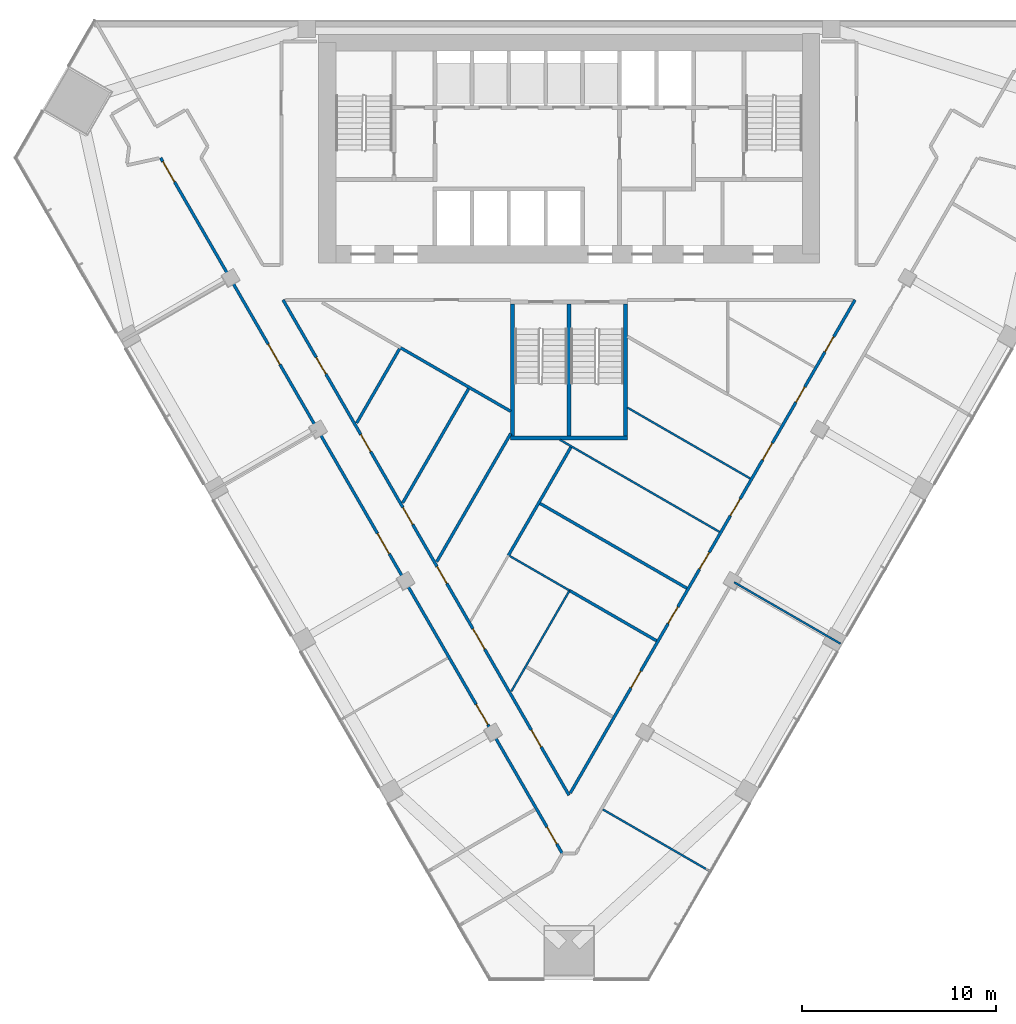
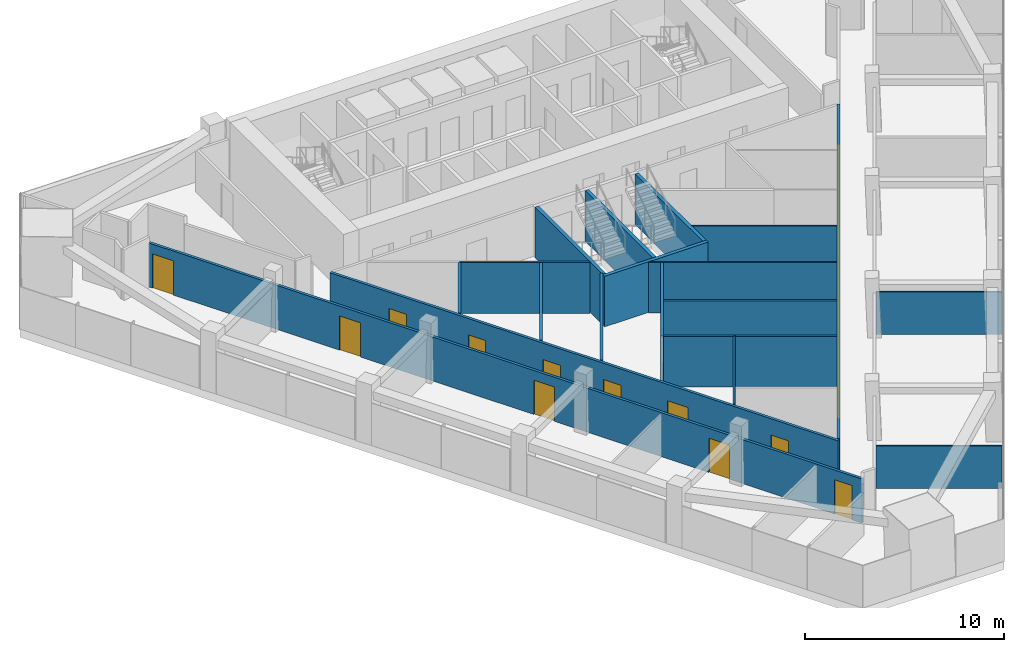
# One storey, part 9 of 14: 20 walls, 18 doors, 18 openings.
"""IFC4 building model written with IfcOpenShell, lengths in metres."""

import ifcopenshell
import ifcopenshell.guid

model = None  # the IFC model being written
_history = None  # IfcOwnerHistory: only IFC2X3 demands one
_inside = {}  # id of a spatial element -> (the spatial element, [elements in it])
_under = {}  # id of a project, library or spatial element -> (it, [spatial elements below it])
_declared = {}  # id of a project -> (the project, [libraries it declares])
_typed = {}  # id of a type object -> (the type object, [elements of that type])
_made_of = {}  # id of a material, layer set ... -> (it, [elements and type objects made of it])


def new_model(schema):
    """Start an empty IFC model of exactly this schema.

    Asked for "IFC4X3", IfcOpenShell would pick the latest addendum, in which some entities
    have other attributes; the version numbers below select the first issue.
    IFC2X3 requires an IfcOwnerHistory on every rooted entity: one is made here for all.
    """
    global model, _history
    if schema == "IFC4X3":
        model = ifcopenshell.file(schema_version=(4, 3, 0, 0))
    else:
        model = ifcopenshell.file(schema=schema)
    _inside.clear()
    _under.clear()
    _declared.clear()
    _typed.clear()
    _made_of.clear()
    _history = None
    if model.schema == "IFC2X3":
        org = make("IfcOrganization", Name="unknown")
        user = make(
            "IfcPersonAndOrganization",
            ThePerson=make("IfcPerson", FamilyName="unknown"),
            TheOrganization=org,
        )
        app = make(
            "IfcApplication",
            ApplicationDeveloper=org,
            Version="unknown",
            ApplicationFullName="unknown",
            ApplicationIdentifier="unknown",
        )
        _history = make(
            "IfcOwnerHistory",
            OwningUser=user,
            OwningApplication=app,
            ChangeAction="ADDED",
            CreationDate=0,
        )
    return model


def make(cls, **values):
    """One entity of the class cls with the attributes given. An attribute that is None is left unset."""
    return model.create_entity(
        cls, **{name: value for name, value in values.items() if value is not None}
    )


def rooted(cls, **values):
    """An entity with a GlobalId (a new one), such as an element, a storey or a relation."""
    return make(cls, GlobalId=ifcopenshell.guid.new(), OwnerHistory=_history, **values)


def si_unit(unit_type, name, prefix=None):
    """IfcSIUnit, for example si_unit("LENGTHUNIT", "METRE", prefix="MILLI")."""
    return make("IfcSIUnit", UnitType=unit_type, Prefix=prefix, Name=name)


def assignment(units):
    """IfcUnitAssignment: the units of a project."""
    return None if units is None else make("IfcUnitAssignment", Units=units)


def point(xyz):
    """IfcCartesianPoint."""
    return None if xyz is None else make("IfcCartesianPoint", Coordinates=xyz)


def direction(xyz):
    """IfcDirection."""
    return None if xyz is None else make("IfcDirection", DirectionRatios=xyz)


def frame(location, z_axis=None, x_axis=None):
    """IfcAxis2Placement3D, a coordinate frame: its origin and axes. An axis left out is left unset."""
    return make(
        "IfcAxis2Placement3D",
        Location=point(location),
        Axis=direction(z_axis),
        RefDirection=direction(x_axis),
    )


def frame_2d(location, x_axis=None):
    """IfcAxis2Placement2D, a coordinate frame in the plane: its origin and x axis."""
    return make(
        "IfcAxis2Placement2D", Location=point(location), RefDirection=direction(x_axis)
    )


def origin():
    """The frame at (0, 0, 0) with its axes left unset."""
    return frame((0.0, 0.0, 0.0))


def place(relative_to, where):
    """IfcLocalPlacement: puts the frame where relative to a parent placement (None: the world)."""
    return make(
        "IfcLocalPlacement", PlacementRelTo=relative_to, RelativePlacement=where
    )


def context(
    kind, dimensions, precision=None, world=None, true_north=None, identifier=None
):
    """IfcGeometricRepresentationContext, for example the 3D "Model" context."""
    return make(
        "IfcGeometricRepresentationContext",
        ContextIdentifier=identifier,
        ContextType=kind,
        CoordinateSpaceDimension=dimensions,
        Precision=precision,
        WorldCoordinateSystem=world,
        TrueNorth=true_north,
    )


def subcontext(parent, identifier, kind, view, scale=None):
    """IfcGeometricRepresentationSubContext, for example "Body" below "Model"."""
    return make(
        "IfcGeometricRepresentationSubContext",
        ContextIdentifier=identifier,
        ContextType=kind,
        ParentContext=parent,
        TargetScale=scale,
        TargetView=view,
    )


def project(units=None, contexts=None):
    """IfcProject with its units and contexts."""
    return rooted(
        "IfcProject",
        Name="project",
        RepresentationContexts=contexts,
        UnitsInContext=assignment(units),
    )


def spatial(cls, under=None, at=None, **own):
    """A site, building, storey or space (cls), placed at a placement, below another one or the project."""
    s = rooted(cls, ObjectPlacement=at, **own)
    if under is not None:
        _under.setdefault(under.id(), (under, []))[1].append(s)
    return s


def profile(cls, at=None, kind="AREA", **sizes):
    """A parametric profile (cls). Its sizes go by their IFC names, for example OverallWidth=200.0."""
    return make(cls, ProfileType=kind, Position=at, **sizes)


def rectangle(**sizes):
    """IfcRectangleProfileDef."""
    return profile("IfcRectangleProfileDef", **sizes)


def extrude(swept, where, along, depth):
    """IfcExtrudedAreaSolid: the profile swept, set in the frame where, extruded along a direction by depth."""
    return make(
        "IfcExtrudedAreaSolid",
        SweptArea=swept,
        Position=where,
        ExtrudedDirection=direction(along),
        Depth=depth,
    )


def shape(context_of_items, identifier, shape_type, items):
    """IfcShapeRepresentation: the items that make up one representation, for example the "Body"."""
    return make(
        "IfcShapeRepresentation",
        ContextOfItems=context_of_items,
        RepresentationIdentifier=identifier,
        RepresentationType=shape_type,
        Items=items,
    )


def material(Name=None, Category=None):
    """IfcMaterial."""
    return make("IfcMaterial", Name=Name, Category=Category)


def layer(
    of_material, thickness, ventilated=None, Name=None, Category=None, Priority=None
):
    """IfcMaterialLayer: one layer of a wall or slab, of a material (None: an air gap)."""
    return make(
        "IfcMaterialLayer",
        Material=of_material,
        LayerThickness=thickness,
        IsVentilated=ventilated,
        Name=Name,
        Category=Category,
        Priority=Priority,
    )


def layer_set(layers, Name=None):
    """IfcMaterialLayerSet."""
    return make("IfcMaterialLayerSet", MaterialLayers=layers, LayerSetName=Name)


def made_of(thing, what):
    """Note that an element or type object is made of a material, layer set ...; save() writes the relation."""
    if what is not None:
        _made_of.setdefault(what.id(), (what, []))[1].append(thing)
    return thing


def type_object(cls, material=None, **own):
    """A type object (cls), such as IfcWallType, which elements share."""
    return made_of(rooted(cls, **own), material)


def element(
    cls,
    number,
    at=None,
    inside=None,
    cuts=None,
    type_object=None,
    material=None,
    context=None,
    identifier="Body",
    shape_type=None,
    held_by="IfcProductDefinitionShape",
    body=None,
    shapes=None,
    **own,
):
    """One element of the class cls, such as IfcWall. Its Tag is "e" and its number.

    at: its placement. inside: the storey or other place that contains it. cuts: it is an
    opening in that element (IfcRelVoidsElement). A single representation is given by context,
    identifier, shape_type and body (its items); several are given by shapes. held_by: the class
    of the entity that holds the representations. save() writes the other relations.
    """
    e = rooted(cls, Tag="e%d" % number, ObjectPlacement=at, **own)
    if body is not None:
        shapes = [shape(context, identifier, shape_type, body)]
    if shapes is not None:
        e.Representation = make(held_by, Representations=shapes)
    if inside is not None:
        _inside.setdefault(inside.id(), (inside, []))[1].append(e)
    if cuts is not None:
        rooted(
            "IfcRelVoidsElement", RelatingBuildingElement=cuts, RelatedOpeningElement=e
        )
    if type_object is not None:
        _typed.setdefault(type_object.id(), (type_object, []))[1].append(e)
    return made_of(e, material)


def fill(opening, filler):
    """IfcRelFillsElement: the door or window that sits in an opening."""
    return rooted(
        "IfcRelFillsElement",
        RelatingOpeningElement=opening,
        RelatedBuildingElement=filler,
    )


def aggregate(whole, parts):
    """IfcRelAggregates: a whole, such as a stair, and the parts it consists of."""
    return rooted("IfcRelAggregates", RelatingObject=whole, RelatedObjects=parts)


def save(model, path):
    """Write the relations noted so far, then the file.

    IfcRelAggregates (storeys below a building ...), IfcRelContainedInSpatialStructure (elements
    in a storey), IfcRelDefinesByType, IfcRelAssociatesMaterial and IfcRelDeclares: one each for
    every whole, place, type object, material and project.
    """
    for whole, parts in _under.values():
        aggregate(whole, parts)
    for where, things in _inside.values():
        rooted(
            "IfcRelContainedInSpatialStructure",
            RelatedElements=things,
            RelatingStructure=where,
        )
    for kind, things in _typed.values():
        rooted("IfcRelDefinesByType", RelatedObjects=things, RelatingType=kind)
    for what, things in _made_of.values():
        rooted("IfcRelAssociatesMaterial", RelatedObjects=things, RelatingMaterial=what)
    for by, libraries in _declared.values():
        rooted("IfcRelDeclares", RelatingContext=by, RelatedDefinitions=libraries)
    model.write(path)


model = new_model("IFC4")

# Units and contexts
model_context = context("Model", 3, precision=1e-05, world=origin(), true_north=direction((0.0, 1.0)))
body_context = subcontext(model_context, "Body", "Model", "MODEL_VIEW")
ifc_project = project(units=[si_unit("LENGTHUNIT", "METRE"), si_unit("AREAUNIT", "SQUARE_METRE"), si_unit("VOLUMEUNIT", "CUBIC_METRE"), si_unit("PLANEANGLEUNIT", "RADIAN"), si_unit("MASSUNIT", "GRAM", prefix="KILO")], contexts=[model_context])

# Site, building, storey
site_placement = place(None, origin())
site = spatial("IfcSite", under=ifc_project, at=site_placement, CompositionType="ELEMENT")
building_placement = place(site_placement, origin())
building = spatial("IfcBuilding", under=site, at=building_placement, Name="Altiplano Prism Tower", CompositionType="ELEMENT")
storey_placement = place(building_placement, frame((0.0, 0.0, 111.60009765625)))
storey = spatial("IfcBuildingStorey", under=building, at=storey_placement, Name="L28", CompositionType="ELEMENT", Elevation=111.60009765625)

# Walls
ifc_material_1 = material(Name="Plasterboard on steel stud", Category="steel")
ifc_layer_1 = layer(ifc_material_1, 0.10009765625)
ifc_layer_set_1 = layer_set([ifc_layer_1], Name="Plasterboard on steel stud")
wall_type_1 = type_object("IfcWallType", Name="Partition 100 wet", PredefinedType="PARTITIONING", material=ifc_layer_set_1)
for number, where, z_axis, x_axis, name in (
    (1, (92.22021484375, 61.21728515625, 0.0), (0.0, 0.0, 1.0), (-0.866015887322, 0.500016482634, 0.0), "Partition P03 L28 047"),
    (2, (98.97021484375, 72.90869140625, 0.0), (0.0, 0.0, 1.0), (-0.866015887322, 0.500016482634, 0.0), "Partition P03 L28 048"),
):
    element("IfcWall", number, at=place(storey_placement, frame(where, z_axis=z_axis, x_axis=x_axis)), inside=storey, type_object=wall_type_1, Name=name, PredefinedType="PARTITIONING", context=body_context, shape_type="SweptSolid", body=[
        extrude(rectangle(XDim=6.324951171875, YDim=0.10009765625, at=frame_2d((3.16259765625, 0.0))), origin(), (0.0, 0.0, 1.0), 2.599853515625),
    ])
wall_1_placement = place(storey_placement, frame((92.73779296875, 78.6640625, 0.0), z_axis=(0.0, 0.0, 1.0), x_axis=(-0.866036218949, 0.499981267118, 0.0)))
element("IfcWall", 3, at=wall_1_placement, inside=storey, type_object=wall_type_1, Name="Partition P03 L28 055", PredefinedType="PARTITIONING", context=body_context, shape_type="SweptSolid", body=[
    extrude(rectangle(XDim=9.471923828125, YDim=0.10009765625, at=frame_2d((4.73583984375, 0.0))), origin(), (0.0, 0.0, 1.0), 3.099853515625),
])
wall_2_placement = place(storey_placement, frame((81.9501953125, 77.42041015625, 0.0), z_axis=(0.0, 0.0, 1.0), x_axis=(0.866004682396, -0.50003588878, 0.0)))
element("IfcWall", 4, at=wall_2_placement, inside=storey, type_object=wall_type_1, Name="Partition P03 L28 058", PredefinedType="PARTITIONING", context=body_context, shape_type="SweptSolid", body=[
    extrude(rectangle(XDim=3.551025390625, YDim=0.10009765625, at=frame_2d((1.775390625, 0.0))), origin(), (0.0, 0.0, 1.0), 3.099853515625),
])
wall_3_placement = place(storey_placement, frame((88.0, 85.05859375, 0.0), z_axis=(0.0, 0.0, 1.0), x_axis=(0.866026309874, -0.499998430604, 0.0)))
element("IfcWall", 5, at=wall_3_placement, inside=storey, type_object=wall_type_1, Name="Partition P03 L28 061", PredefinedType="PARTITIONING", context=body_context, shape_type="SweptSolid", body=[
    extrude(rectangle(XDim=7.30029296875, YDim=0.10009765625, at=frame_2d((3.650146484375, 0.0))), origin(), (0.0, 0.0, 1.0), 3.099853515625),
])
wall_4_placement = place(storey_placement, frame((85.025390625, 75.644775390625, 0.0), z_axis=(0.0, 0.0, 1.0), x_axis=(-0.500004647933, -0.866022720283, 0.0)))
element("IfcWall", 6, at=wall_4_placement, inside=storey, type_object=wall_type_1, Name="Partition P03 L28 064", PredefinedType="PARTITIONING", context=body_context, shape_type="SweptSolid", body=[
    extrude(rectangle(XDim=5.9912109375, YDim=0.10009765625, at=frame_2d((2.99560546875, 0.0))), origin(), (0.0, 0.0, 1.0), 3.099853515625),
])

# Wall, openings, doors
ifc_layer_2 = layer(ifc_material_1, 0.14990234375)
ifc_layer_set_2 = layer_set([ifc_layer_2], Name="Plasterboard on steel stud")
wall_type_2 = type_object("IfcWallType", Name="Partition 150 corridor", PredefinedType="PARTITIONING", material=ifc_layer_set_2)
wall_5_placement = place(storey_placement, frame((99.7158203125, 90.60009765625, 0.0), z_axis=(0.0, 0.0, 1.0), x_axis=(-0.500001331159, -0.866024635238, 0.0)))
wall_5 = element("IfcWall", 7, at=wall_5_placement, inside=storey, type_object=wall_type_2, Name="Partition P06 L28 002", PredefinedType="PARTITIONING", context=body_context, shape_type="SweptSolid", body=[
    extrude(rectangle(XDim=29.3017578125, YDim=0.14990234375, at=frame_2d((14.65087890625, 0.0))), origin(), (0.0, 0.0, 1.0), 3.099853515625),
])
opening_1_placement = place(wall_5_placement, frame((2.19189453125, 0.0, 0.0)))
opening_1 = element("IfcOpeningElement", 8, at=opening_1_placement, cuts=wall_5, Name="Opening D1018", PredefinedType="OPENING", context=body_context, shape_type="SweptSolid", body=[
    extrude(rectangle(XDim=0.89990234375, YDim=2.10009765625, at=frame_2d((0.449951171875, 1.050048828125))), frame((0.0, 0.08544921875, 0.0), z_axis=(0.0, -1.0, 0.0), x_axis=(1.0, 0.0, 0.0)), (0.0, 0.0, 1.0), 0.1708984375),
])
opening_2_placement = place(wall_5_placement, frame((5.181884765625, 0.0, 0.0)))
opening_2 = element("IfcOpeningElement", 9, at=opening_2_placement, cuts=wall_5, Name="Opening D1019", PredefinedType="OPENING", context=body_context, shape_type="SweptSolid", body=[
    extrude(rectangle(XDim=0.89990234375, YDim=2.10009765625, at=frame_2d((0.449951171875, 1.050048828125))), frame((0.0, 0.08544921875, 0.0), z_axis=(0.0, -1.0, 0.0), x_axis=(1.0, 0.0, 0.0)), (0.0, 0.0, 1.0), 0.1708984375),
])
opening_3_placement = place(wall_5_placement, frame((15.0009765625, 0.0, 0.0)))
opening_3 = element("IfcOpeningElement", 10, at=opening_3_placement, cuts=wall_5, Name="Opening D1034", PredefinedType="OPENING", context=body_context, shape_type="SweptSolid", body=[
    extrude(rectangle(XDim=1.0, YDim=2.10009765625, at=frame_2d((0.5, 1.050048828125))), frame((0.0, 0.08544921875, 0.0), z_axis=(0.0, -1.0, 0.0), x_axis=(1.0, 0.0, 0.0)), (0.0, 0.0, 1.0), 0.1708984375),
])
opening_4_placement = place(wall_5_placement, frame((18.236083984375, 0.0, 0.0)))
opening_4 = element("IfcOpeningElement", 11, at=opening_4_placement, cuts=wall_5, Name="Opening D1036", PredefinedType="OPENING", context=body_context, shape_type="SweptSolid", body=[
    extrude(rectangle(XDim=1.0, YDim=2.10009765625, at=frame_2d((0.5, 1.050048828125))), frame((0.0, 0.08544921875, 0.0), z_axis=(0.0, -1.0, 0.0), x_axis=(1.0, 0.0, 0.0)), (0.0, 0.0, 1.0), 0.1708984375),
])
opening_5_placement = place(wall_5_placement, frame((8.513916015625, 0.0, 0.0)))
opening_5 = element("IfcOpeningElement", 12, at=opening_5_placement, cuts=wall_5, Name="Opening D1038", PredefinedType="OPENING", context=body_context, shape_type="SweptSolid", body=[
    extrude(rectangle(XDim=1.0, YDim=2.10009765625, at=frame_2d((0.5, 1.050048828125))), frame((0.0, 0.08544921875, 0.0), z_axis=(0.0, -1.0, 0.0), x_axis=(1.0, 0.0, 0.0)), (0.0, 0.0, 1.0), 0.1708984375),
])
opening_6_placement = place(wall_5_placement, frame((11.822998046875, 0.0, 0.0)))
opening_6 = element("IfcOpeningElement", 13, at=opening_6_placement, cuts=wall_5, Name="Opening D1039", PredefinedType="OPENING", context=body_context, shape_type="SweptSolid", body=[
    extrude(rectangle(XDim=1.0, YDim=2.10009765625, at=frame_2d((0.5, 1.050048828125))), frame((0.0, 0.08544921875, 0.0), z_axis=(0.0, -1.0, 0.0), x_axis=(1.0, 0.0, 0.0)), (0.0, 0.0, 1.0), 0.1708984375),
])
opening_7_placement = place(wall_5_placement, frame((22.053955078125, 0.0, 0.0)))
opening_7 = element("IfcOpeningElement", 14, at=opening_7_placement, cuts=wall_5, Name="Opening D1041", PredefinedType="OPENING", context=body_context, shape_type="SweptSolid", body=[
    extrude(rectangle(XDim=1.0, YDim=2.10009765625, at=frame_2d((0.5, 1.050048828125))), frame((0.0, 0.08544921875, 0.0), z_axis=(0.0, -1.0, 0.0), x_axis=(1.0, 0.0, 0.0)), (0.0, 0.0, 1.0), 0.1708984375),
])
ifc_material_2 = material(Name="Timber", Category="wood")
door_type_1 = type_object("IfcDoorType", Name="Room door 1000 x 2100", OperationType="NOTDEFINED", PredefinedType="NOTDEFINED", material=ifc_material_2)
door_1_placement = place(opening_3_placement, origin())
door_1 = element("IfcDoor", 15, at=door_1_placement, inside=storey, type_object=door_type_1, Name="Door D1034", OperationType="SINGLE_SWING_RIGHT", OverallHeight=2.10009765625, OverallWidth=1.0, PredefinedType="NOTDEFINED", context=body_context, shape_type="SweptSolid", body=[
    extrude(rectangle(XDim=1.0, YDim=2.10009765625, at=frame_2d((0.5, 1.050048828125))), frame((0.0, 0.02490234375, 0.0), z_axis=(0.0, -1.0, 0.0), x_axis=(1.0, 0.0, 0.0)), (0.0, 0.0, 1.0), 0.050048828125),
])
fill(opening_3, door_1)
door_2_placement = place(opening_6_placement, origin())
door_2 = element("IfcDoor", 16, at=door_2_placement, inside=storey, type_object=door_type_1, Name="Door D1039", OperationType="SINGLE_SWING_RIGHT", OverallHeight=2.10009765625, OverallWidth=1.0, PredefinedType="NOTDEFINED", context=body_context, shape_type="SweptSolid", body=[
    extrude(rectangle(XDim=1.0, YDim=2.10009765625, at=frame_2d((0.5, 1.050048828125))), frame((0.0, 0.02490234375, 0.0), z_axis=(0.0, -1.0, 0.0), x_axis=(1.0, 0.0, 0.0)), (0.0, 0.0, 1.0), 0.050048828125),
])
fill(opening_6, door_2)
door_3_placement = place(opening_7_placement, origin())
door_3 = element("IfcDoor", 17, at=door_3_placement, inside=storey, type_object=door_type_1, Name="Door D1041", OperationType="SINGLE_SWING_RIGHT", OverallHeight=2.10009765625, OverallWidth=1.0, PredefinedType="NOTDEFINED", context=body_context, shape_type="SweptSolid", body=[
    extrude(rectangle(XDim=1.0, YDim=2.10009765625, at=frame_2d((0.5, 1.050048828125))), frame((0.0, 0.02490234375, 0.0), z_axis=(0.0, -1.0, 0.0), x_axis=(1.0, 0.0, 0.0)), (0.0, 0.0, 1.0), 0.050048828125),
])
fill(opening_7, door_3)
door_type_2 = type_object("IfcDoorType", Name="Store door 1000 x 2100", OperationType="NOTDEFINED", PredefinedType="NOTDEFINED", material=ifc_material_2)
door_4_placement = place(opening_4_placement, origin())
door_4 = element("IfcDoor", 18, at=door_4_placement, inside=storey, type_object=door_type_2, Name="Door D1036", OperationType="SINGLE_SWING_RIGHT", OverallHeight=2.10009765625, OverallWidth=1.0, PredefinedType="NOTDEFINED", context=body_context, shape_type="SweptSolid", body=[
    extrude(rectangle(XDim=1.0, YDim=2.10009765625, at=frame_2d((0.5, 1.050048828125))), frame((0.0, 0.02490234375, 0.0), z_axis=(0.0, -1.0, 0.0), x_axis=(1.0, 0.0, 0.0)), (0.0, 0.0, 1.0), 0.050048828125),
])
fill(opening_4, door_4)
door_5_placement = place(opening_5_placement, origin())
door_5 = element("IfcDoor", 19, at=door_5_placement, inside=storey, type_object=door_type_2, Name="Door D1038", OperationType="SINGLE_SWING_LEFT", OverallHeight=2.10009765625, OverallWidth=1.0, PredefinedType="NOTDEFINED", context=body_context, shape_type="SweptSolid", body=[
    extrude(rectangle(XDim=1.0, YDim=2.10009765625, at=frame_2d((0.5, 1.050048828125))), frame((0.0, 0.02490234375, 0.0), z_axis=(0.0, -1.0, 0.0), x_axis=(1.0, 0.0, 0.0)), (0.0, 0.0, 1.0), 0.050048828125),
])
fill(opening_5, door_5)
door_type_3 = type_object("IfcDoorType", Name="Toilet door 900 x 2100", OperationType="NOTDEFINED", PredefinedType="NOTDEFINED", material=ifc_material_2)
door_6_placement = place(opening_1_placement, origin())
door_6 = element("IfcDoor", 20, at=door_6_placement, inside=storey, type_object=door_type_3, Name="Door D1018", OperationType="SINGLE_SWING_RIGHT", OverallHeight=2.10009765625, OverallWidth=0.89990234375, PredefinedType="NOTDEFINED", context=body_context, shape_type="SweptSolid", body=[
    extrude(rectangle(XDim=0.89990234375, YDim=2.10009765625, at=frame_2d((0.449951171875, 1.050048828125))), frame((0.0, 0.02490234375, 0.0), z_axis=(0.0, -1.0, 0.0), x_axis=(1.0, 0.0, 0.0)), (0.0, 0.0, 1.0), 0.050048828125),
])
fill(opening_1, door_6)
door_7_placement = place(opening_2_placement, origin())
door_7 = element("IfcDoor", 21, at=door_7_placement, inside=storey, type_object=door_type_3, Name="Door D1019", OperationType="SINGLE_SWING_RIGHT", OverallHeight=2.10009765625, OverallWidth=0.89990234375, PredefinedType="NOTDEFINED", context=body_context, shape_type="SweptSolid", body=[
    extrude(rectangle(XDim=0.89990234375, YDim=2.10009765625, at=frame_2d((0.449951171875, 1.050048828125))), frame((0.0, 0.02490234375, 0.0), z_axis=(0.0, -1.0, 0.0), x_axis=(1.0, 0.0, 0.0)), (0.0, 0.0, 1.0), 0.050048828125),
])
fill(opening_2, door_7)

wall_6_placement = place(storey_placement, frame((85.0, 65.111572265625, 0.0), z_axis=(0.0, 0.0, 1.0), x_axis=(-0.499994117932, 0.866028799771, 0.0)))
wall_6 = element("IfcWall", 22, at=wall_6_placement, inside=storey, type_object=wall_type_2, Name="Partition P06 L28 003", PredefinedType="PARTITIONING", context=body_context, shape_type="SweptSolid", body=[
    extrude(rectangle(XDim=29.431396484375, YDim=0.14990234375, at=frame_2d((14.7158203125, 0.0))), origin(), (0.0, 0.0, 1.0), 3.099853515625),
])
opening_8_placement = place(wall_6_placement, frame((2.8740234375, 0.0, 0.0)))
opening_8 = element("IfcOpeningElement", 23, at=opening_8_placement, cuts=wall_6, Name="Opening D1020", PredefinedType="OPENING", context=body_context, shape_type="SweptSolid", body=[
    extrude(rectangle(XDim=1.0, YDim=2.10009765625, at=frame_2d((0.5, 1.050048828125))), frame((0.0, 0.08544921875, 0.0), z_axis=(0.0, -1.0, 0.0), x_axis=(1.0, 0.0, 0.0)), (0.0, 0.0, 1.0), 0.1708984375),
])
opening_9_placement = place(wall_6_placement, frame((25.014892578125, 0.0, 0.0)))
opening_9 = element("IfcOpeningElement", 24, at=opening_9_placement, cuts=wall_6, Name="Opening D1021", PredefinedType="OPENING", context=body_context, shape_type="SweptSolid", body=[
    extrude(rectangle(XDim=1.0, YDim=2.10009765625, at=frame_2d((0.5, 1.050048828125))), frame((0.0, 0.08544921875, 0.0), z_axis=(0.0, -1.0, 0.0), x_axis=(1.0, 0.0, 0.0)), (0.0, 0.0, 1.0), 0.1708984375),
])
opening_10_placement = place(wall_6_placement, frame((12.5859375, 0.0, 0.0)))
opening_10 = element("IfcOpeningElement", 25, at=opening_10_placement, cuts=wall_6, Name="Opening D1037", PredefinedType="OPENING", context=body_context, shape_type="SweptSolid", body=[
    extrude(rectangle(XDim=1.0, YDim=2.10009765625, at=frame_2d((0.5, 1.050048828125))), frame((0.0, 0.08544921875, 0.0), z_axis=(0.0, -1.0, 0.0), x_axis=(1.0, 0.0, 0.0)), (0.0, 0.0, 1.0), 0.1708984375),
])
opening_11_placement = place(wall_6_placement, frame((20.422119140625, 0.0, 0.0)))
opening_11 = element("IfcOpeningElement", 26, at=opening_11_placement, cuts=wall_6, Name="Opening D1040", PredefinedType="OPENING", context=body_context, shape_type="SweptSolid", body=[
    extrude(rectangle(XDim=1.0, YDim=2.10009765625, at=frame_2d((0.5, 1.050048828125))), frame((0.0, 0.08544921875, 0.0), z_axis=(0.0, -1.0, 0.0), x_axis=(1.0, 0.0, 0.0)), (0.0, 0.0, 1.0), 0.1708984375),
])
opening_12_placement = place(wall_6_placement, frame((16.093017578125, 0.0, 0.0)))
opening_12 = element("IfcOpeningElement", 27, at=opening_12_placement, cuts=wall_6, Name="Opening D1042", PredefinedType="OPENING", context=body_context, shape_type="SweptSolid", body=[
    extrude(rectangle(XDim=1.0, YDim=2.10009765625, at=frame_2d((0.5, 1.050048828125))), frame((0.0, 0.08544921875, 0.0), z_axis=(0.0, -1.0, 0.0), x_axis=(1.0, 0.0, 0.0)), (0.0, 0.0, 1.0), 0.1708984375),
])
opening_13_placement = place(wall_6_placement, frame((8.68798828125, 0.0, 0.0)))
opening_13 = element("IfcOpeningElement", 28, at=opening_13_placement, cuts=wall_6, Name="Opening D1043", PredefinedType="OPENING", context=body_context, shape_type="SweptSolid", body=[
    extrude(rectangle(XDim=1.199951171875, YDim=2.10009765625, at=frame_2d((0.60009765625, 1.050048828125))), frame((0.0, 0.08544921875, 0.0), z_axis=(0.0, -1.0, 0.0), x_axis=(1.0, 0.0, 0.0)), (0.0, 0.0, 1.0), 0.1708984375),
])
door_8_placement = place(opening_12_placement, origin())
door_8 = element("IfcDoor", 29, at=door_8_placement, inside=storey, type_object=door_type_1, Name="Door D1042", OperationType="SINGLE_SWING_RIGHT", OverallHeight=2.10009765625, OverallWidth=1.0, PredefinedType="NOTDEFINED", context=body_context, shape_type="SweptSolid", body=[
    extrude(rectangle(XDim=1.0, YDim=2.10009765625, at=frame_2d((0.5, 1.050048828125))), frame((0.0, 0.02490234375, 0.0), z_axis=(0.0, -1.0, 0.0), x_axis=(1.0, 0.0, 0.0)), (0.0, 0.0, 1.0), 0.050048828125),
])
fill(opening_12, door_8)
door_type_4 = type_object("IfcDoorType", Name="Shared room door 1200 x 2100", OperationType="NOTDEFINED", PredefinedType="NOTDEFINED", material=ifc_material_2)
door_9_placement = place(opening_13_placement, origin())
door_9 = element("IfcDoor", 30, at=door_9_placement, inside=storey, type_object=door_type_4, Name="Door D1043", OperationType="SINGLE_SWING_RIGHT", OverallHeight=2.10009765625, OverallWidth=1.199951171875, PredefinedType="NOTDEFINED", context=body_context, shape_type="SweptSolid", body=[
    extrude(rectangle(XDim=1.199951171875, YDim=2.10009765625, at=frame_2d((0.60009765625, 1.050048828125))), frame((0.0, 0.02490234375, 0.0), z_axis=(0.0, -1.0, 0.0), x_axis=(1.0, 0.0, 0.0)), (0.0, 0.0, 1.0), 0.050048828125),
])
fill(opening_13, door_9)
door_10_placement = place(opening_8_placement, origin())
door_10 = element("IfcDoor", 31, at=door_10_placement, inside=storey, type_object=door_type_2, Name="Door D1020", OperationType="SINGLE_SWING_RIGHT", OverallHeight=2.10009765625, OverallWidth=1.0, PredefinedType="NOTDEFINED", context=body_context, shape_type="SweptSolid", body=[
    extrude(rectangle(XDim=1.0, YDim=2.10009765625, at=frame_2d((0.5, 1.050048828125))), frame((0.0, 0.02490234375, 0.0), z_axis=(0.0, -1.0, 0.0), x_axis=(1.0, 0.0, 0.0)), (0.0, 0.0, 1.0), 0.050048828125),
])
fill(opening_8, door_10)
door_11_placement = place(opening_9_placement, origin())
door_11 = element("IfcDoor", 32, at=door_11_placement, inside=storey, type_object=door_type_2, Name="Door D1021", OperationType="SINGLE_SWING_RIGHT", OverallHeight=2.10009765625, OverallWidth=1.0, PredefinedType="NOTDEFINED", context=body_context, shape_type="SweptSolid", body=[
    extrude(rectangle(XDim=1.0, YDim=2.10009765625, at=frame_2d((0.5, 1.050048828125))), frame((0.0, 0.02490234375, 0.0), z_axis=(0.0, -1.0, 0.0), x_axis=(1.0, 0.0, 0.0)), (0.0, 0.0, 1.0), 0.050048828125),
])
fill(opening_9, door_11)
door_12_placement = place(opening_10_placement, origin())
door_12 = element("IfcDoor", 33, at=door_12_placement, inside=storey, type_object=door_type_2, Name="Door D1037", OperationType="SINGLE_SWING_LEFT", OverallHeight=2.10009765625, OverallWidth=1.0, PredefinedType="NOTDEFINED", context=body_context, shape_type="SweptSolid", body=[
    extrude(rectangle(XDim=1.0, YDim=2.10009765625, at=frame_2d((0.5, 1.050048828125))), frame((0.0, 0.02490234375, 0.0), z_axis=(0.0, -1.0, 0.0), x_axis=(1.0, 0.0, 0.0)), (0.0, 0.0, 1.0), 0.050048828125),
])
fill(opening_10, door_12)
door_13_placement = place(opening_11_placement, origin())
door_13 = element("IfcDoor", 34, at=door_13_placement, inside=storey, type_object=door_type_2, Name="Door D1040", OperationType="SINGLE_SWING_LEFT", OverallHeight=2.10009765625, OverallWidth=1.0, PredefinedType="NOTDEFINED", context=body_context, shape_type="SweptSolid", body=[
    extrude(rectangle(XDim=1.0, YDim=2.10009765625, at=frame_2d((0.5, 1.050048828125))), frame((0.0, 0.02490234375, 0.0), z_axis=(0.0, -1.0, 0.0), x_axis=(1.0, 0.0, 0.0)), (0.0, 0.0, 1.0), 0.050048828125),
])
fill(opening_11, door_13)

wall_7_placement = place(storey_placement, frame((63.987548828125, 97.90625, 0.0), z_axis=(0.0, 0.0, 1.0), x_axis=(0.500001579174, -0.866024492046, 0.0)))
wall_7 = element("IfcWall", 35, at=wall_7_placement, inside=storey, type_object=wall_type_2, Name="Partition P06 L28 008", PredefinedType="PARTITIONING", context=body_context, shape_type="SweptSolid", body=[
    extrude(rectangle(XDim=41.339111328125, YDim=0.14990234375, at=frame_2d((20.66943359375, 0.0))), origin(), (0.0, 0.0, 1.0), 2.699951171875),
])
opening_14_placement = place(wall_7_placement, frame((0.22802734375, 0.0, 0.0)))
opening_14 = element("IfcOpeningElement", 36, at=opening_14_placement, cuts=wall_7, Name="Opening D1022", PredefinedType="OPENING", context=body_context, shape_type="SweptSolid", body=[
    extrude(rectangle(XDim=1.199951171875, YDim=2.10009765625, at=frame_2d((0.60009765625, 1.050048828125))), frame((0.0, 0.08544921875, 0.0), z_axis=(0.0, -1.0, 0.0), x_axis=(1.0, 0.0, 0.0)), (0.0, 0.0, 1.0), 0.1708984375),
])
opening_15_placement = place(wall_7_placement, frame((11.070068359375, 0.0, 0.0)))
opening_15 = element("IfcOpeningElement", 37, at=opening_15_placement, cuts=wall_7, Name="Opening D1023", PredefinedType="OPENING", context=body_context, shape_type="SweptSolid", body=[
    extrude(rectangle(XDim=1.199951171875, YDim=2.10009765625, at=frame_2d((0.60009765625, 1.050048828125))), frame((0.0, 0.08544921875, 0.0), z_axis=(0.0, -1.0, 0.0), x_axis=(1.0, 0.0, 0.0)), (0.0, 0.0, 1.0), 0.1708984375),
])
opening_16_placement = place(wall_7_placement, frame((22.320068359375, 0.0, 0.0)))
opening_16 = element("IfcOpeningElement", 38, at=opening_16_placement, cuts=wall_7, Name="Opening D1024", PredefinedType="OPENING", context=body_context, shape_type="SweptSolid", body=[
    extrude(rectangle(XDim=1.199951171875, YDim=2.10009765625, at=frame_2d((0.60009765625, 1.050048828125))), frame((0.0, 0.08544921875, 0.0), z_axis=(0.0, -1.0, 0.0), x_axis=(1.0, 0.0, 0.0)), (0.0, 0.0, 1.0), 0.1708984375),
])
opening_17_placement = place(wall_7_placement, frame((32.469970703125, 0.0, 0.0)))
opening_17 = element("IfcOpeningElement", 39, at=opening_17_placement, cuts=wall_7, Name="Opening D1025", PredefinedType="OPENING", context=body_context, shape_type="SweptSolid", body=[
    extrude(rectangle(XDim=1.199951171875, YDim=2.10009765625, at=frame_2d((0.60009765625, 1.050048828125))), frame((0.0, 0.08544921875, 0.0), z_axis=(0.0, -1.0, 0.0), x_axis=(1.0, 0.0, 0.0)), (0.0, 0.0, 1.0), 0.1708984375),
])
opening_18_placement = place(wall_7_placement, frame((39.758056640625, 0.0, 0.0)))
opening_18 = element("IfcOpeningElement", 40, at=opening_18_placement, cuts=wall_7, Name="Opening D1026", PredefinedType="OPENING", context=body_context, shape_type="SweptSolid", body=[
    extrude(rectangle(XDim=1.0, YDim=2.10009765625, at=frame_2d((0.5, 1.050048828125))), frame((0.0, 0.08544921875, 0.0), z_axis=(0.0, -1.0, 0.0), x_axis=(1.0, 0.0, 0.0)), (0.0, 0.0, 1.0), 0.1708984375),
])
door_14_placement = place(opening_18_placement, origin())
door_14 = element("IfcDoor", 41, at=door_14_placement, inside=storey, type_object=door_type_1, Name="Door D1026", OperationType="SINGLE_SWING_LEFT", OverallHeight=2.10009765625, OverallWidth=1.0, PredefinedType="NOTDEFINED", context=body_context, shape_type="SweptSolid", body=[
    extrude(rectangle(XDim=1.0, YDim=2.10009765625, at=frame_2d((0.5, 1.050048828125))), frame((0.0, 0.02490234375, 0.0), z_axis=(0.0, -1.0, 0.0), x_axis=(1.0, 0.0, 0.0)), (0.0, 0.0, 1.0), 0.050048828125),
])
fill(opening_18, door_14)
door_15_placement = place(opening_14_placement, origin())
door_15 = element("IfcDoor", 42, at=door_15_placement, inside=storey, type_object=door_type_4, Name="Door D1022", OperationType="SINGLE_SWING_LEFT", OverallHeight=2.10009765625, OverallWidth=1.199951171875, PredefinedType="NOTDEFINED", context=body_context, shape_type="SweptSolid", body=[
    extrude(rectangle(XDim=1.199951171875, YDim=2.10009765625, at=frame_2d((0.60009765625, 1.050048828125))), frame((0.0, 0.02490234375, 0.0), z_axis=(0.0, -1.0, 0.0), x_axis=(1.0, 0.0, 0.0)), (0.0, 0.0, 1.0), 0.050048828125),
])
fill(opening_14, door_15)
door_16_placement = place(opening_15_placement, origin())
door_16 = element("IfcDoor", 43, at=door_16_placement, inside=storey, type_object=door_type_4, Name="Door D1023", OperationType="SINGLE_SWING_RIGHT", OverallHeight=2.10009765625, OverallWidth=1.199951171875, PredefinedType="NOTDEFINED", context=body_context, shape_type="SweptSolid", body=[
    extrude(rectangle(XDim=1.199951171875, YDim=2.10009765625, at=frame_2d((0.60009765625, 1.050048828125))), frame((0.0, 0.02490234375, 0.0), z_axis=(0.0, -1.0, 0.0), x_axis=(1.0, 0.0, 0.0)), (0.0, 0.0, 1.0), 0.050048828125),
])
fill(opening_15, door_16)
door_17_placement = place(opening_16_placement, origin())
door_17 = element("IfcDoor", 44, at=door_17_placement, inside=storey, type_object=door_type_4, Name="Door D1024", OperationType="SINGLE_SWING_RIGHT", OverallHeight=2.10009765625, OverallWidth=1.199951171875, PredefinedType="NOTDEFINED", context=body_context, shape_type="SweptSolid", body=[
    extrude(rectangle(XDim=1.199951171875, YDim=2.10009765625, at=frame_2d((0.60009765625, 1.050048828125))), frame((0.0, 0.02490234375, 0.0), z_axis=(0.0, -1.0, 0.0), x_axis=(1.0, 0.0, 0.0)), (0.0, 0.0, 1.0), 0.050048828125),
])
fill(opening_16, door_17)
door_18_placement = place(opening_17_placement, origin())
door_18 = element("IfcDoor", 45, at=door_18_placement, inside=storey, type_object=door_type_4, Name="Door D1025", OperationType="SINGLE_SWING_RIGHT", OverallHeight=2.10009765625, OverallWidth=1.199951171875, PredefinedType="NOTDEFINED", context=body_context, shape_type="SweptSolid", body=[
    extrude(rectangle(XDim=1.199951171875, YDim=2.10009765625, at=frame_2d((0.60009765625, 1.050048828125))), frame((0.0, 0.02490234375, 0.0), z_axis=(0.0, -1.0, 0.0), x_axis=(1.0, 0.0, 0.0)), (0.0, 0.0, 1.0), 0.050048828125),
])
fill(opening_17, door_18)

# Walls
ifc_layer_3 = layer(ifc_material_1, 0.14990234375)
ifc_layer_set_3 = layer_set([ifc_layer_3], Name="Plasterboard on steel stud")
wall_type_3 = type_object("IfcWallType", Name="Partition 150 party", PredefinedType="PARTITIONING", material=ifc_layer_set_3)
wall_8_placement = place(storey_placement, frame((74.073486328125, 84.261962890625, 0.0), z_axis=(0.0, 0.0, 1.0), x_axis=(0.499986065091, 0.866033448958, 0.0)))
element("IfcWall", 46, at=wall_8_placement, inside=storey, type_object=wall_type_3, Name="Partition P01 L28 039", PredefinedType="PARTITIONING", context=body_context, shape_type="SweptSolid", body=[
    extrude(rectangle(XDim=4.409423828125, YDim=0.14990234375, at=frame_2d((2.20458984375, 0.0))), origin(), (0.0, 0.0, 1.0), 3.099853515625),
])
wall_9_placement = place(storey_placement, frame((83.510498046875, 80.123046875, 0.0), z_axis=(0.0, 0.0, 1.0), x_axis=(0.866022412254, -0.500005181446, 0.0)))
element("IfcWall", 47, at=wall_9_placement, inside=storey, type_object=wall_type_3, Name="Partition P01 L28 053", PredefinedType="PARTITIONING", context=body_context, shape_type="SweptSolid", body=[
    extrude(rectangle(XDim=8.720703125, YDim=0.14990234375, at=frame_2d((4.3603515625, 0.0))), origin(), (0.0, 0.0, 1.0), 3.099853515625),
])
wall_10_placement = place(storey_placement, frame((85.095703125, 83.0185546875, 0.0), z_axis=(0.0, 0.0, 1.0), x_axis=(-0.499991501415, -0.866030310389, 0.0)))
element("IfcWall", 48, at=wall_10_placement, inside=storey, type_object=wall_type_3, Name="Partition P01 L28 054", PredefinedType="PARTITIONING", context=body_context, shape_type="SweptSolid", body=[
    extrude(rectangle(XDim=6.44091796875, YDim=0.14990234375, at=frame_2d((3.220458984375, 0.0))), origin(), (0.0, 0.0, 1.0), 3.099853515625),
])
wall_11_placement = place(storey_placement, frame((76.3154296875, 88.1455078125, 0.0), z_axis=(0.0, 0.0, 1.0), x_axis=(0.866025784966, -0.499999339774, 0.0)))
element("IfcWall", 49, at=wall_11_placement, inside=storey, type_object=wall_type_3, Name="Partition P01 L28 056", PredefinedType="PARTITIONING", context=body_context, shape_type="SweptSolid", body=[
    extrude(rectangle(XDim=6.56396484375, YDim=0.14990234375, at=frame_2d((3.281982421875, 0.0))), origin(), (0.0, 0.0, 1.0), 3.099853515625),
])
wall_12_placement = place(storey_placement, frame((85.025390625, 75.644775390625, 0.0), z_axis=(0.0, 0.0, 1.0), x_axis=(0.866034590324, -0.49998408811, 0.0)))
element("IfcWall", 50, at=wall_12_placement, inside=storey, type_object=wall_type_3, Name="Partition P01 L28 057", PredefinedType="PARTITIONING", context=body_context, shape_type="SweptSolid", body=[
    extrude(rectangle(XDim=5.169677734375, YDim=0.14990234375, at=frame_2d((2.5849609375, 0.0))), origin(), (0.0, 0.0, 1.0), 3.099853515625),
])
wall_13_placement = place(storey_placement, frame((82.0, 83.718994140625, 0.0), z_axis=(0.0, 0.0, 1.0), x_axis=(-0.499991725642, -0.866030180935, 0.0)))
element("IfcWall", 51, at=wall_13_placement, inside=storey, type_object=wall_type_3, Name="Partition P01 L28 059", PredefinedType="PARTITIONING", context=body_context, shape_type="SweptSolid", body=[
    extrude(rectangle(XDim=7.613037109375, YDim=0.14990234375, at=frame_2d((3.806640625, 0.0))), origin(), (0.0, 0.0, 1.0), 3.099853515625),
])
wall_14_placement = place(storey_placement, frame((76.443359375, 80.156982421875, 0.0), z_axis=(0.0, 0.0, 1.0), x_axis=(0.500012372684, 0.866018260294, 0.0)))
element("IfcWall", 52, at=wall_14_placement, inside=storey, type_object=wall_type_3, Name="Partition P01 L28 063", PredefinedType="PARTITIONING", context=body_context, shape_type="SweptSolid", body=[
    extrude(rectangle(XDim=6.779052734375, YDim=0.14990234375, at=frame_2d((3.3896484375, 0.0))), origin(), (0.0, 0.0, 1.0), 3.099853515625),
])
ifc_material_3 = material(Name="Concrete C60/75", Category="concrete")
ifc_layer_4 = layer(ifc_material_3, 0.199951171875)
ifc_layer_set_4 = layer_set([ifc_layer_4], Name="Concrete C60/75")
wall_type_4 = type_object("IfcWallType", Name="Stair wall 200", PredefinedType="SOLIDWALL", material=ifc_layer_set_4)
wall_15_placement = place(storey_placement, frame((82.0, 83.5, 0.0), z_axis=(0.0, 0.0, 1.0), x_axis=(1.0, 0.0, 0.0)))
element("IfcWall", 53, at=wall_15_placement, inside=storey, type_object=wall_type_4, Name="Stair 3 wall south L28", PredefinedType="SOLIDWALL", context=body_context, shape_type="SweptSolid", body=[
    extrude(rectangle(XDim=6.0, YDim=0.199951171875, at=frame_2d((3.0, 0.0))), origin(), (0.0, 0.0, 1.0), 3.099853515625),
])
for number, where, z_axis, x_axis, name in (
    (54, (82.10009765625, 83.60009765625, 0.0), (0.0, 0.0, 1.0), (0.0, 1.0, 0.0), "Stair 3 wall west L28"),
    (55, (87.89990234375, 83.60009765625, 0.0), (0.0, 0.0, 1.0), (0.0, 1.0, 0.0), "Stair 3 wall east L28"),
    (56, (85.0, 83.60009765625, 0.0), (0.0, 0.0, 1.0), (0.0, 1.0, 0.0), "Stair 3 wall divider L28"),
):
    element("IfcWall", number, at=place(storey_placement, frame(where, z_axis=z_axis, x_axis=x_axis)), inside=storey, type_object=wall_type_4, Name=name, PredefinedType="SOLIDWALL", context=body_context, shape_type="SweptSolid", body=[
        extrude(rectangle(XDim=6.7998046875, YDim=0.199951171875, at=frame_2d((3.39990234375, 0.0))), origin(), (0.0, 0.0, 1.0), 3.099853515625),
    ])

save(model, "model.ifc")
